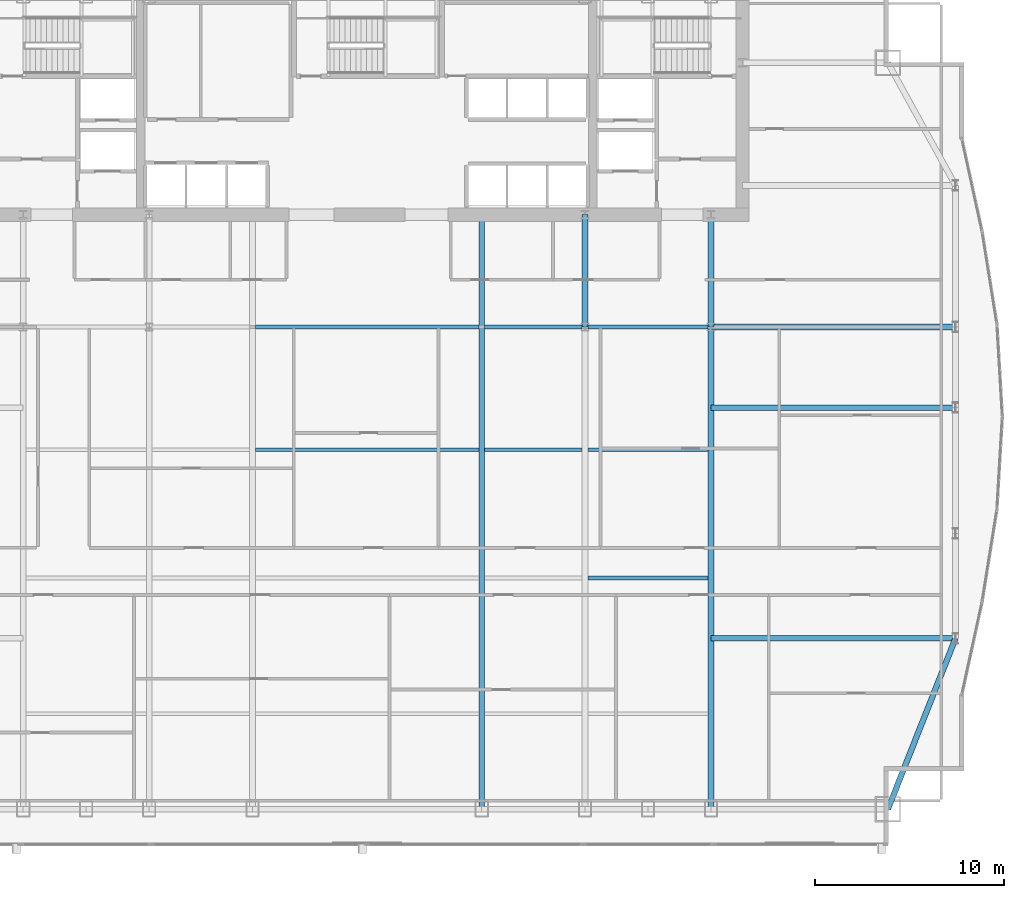
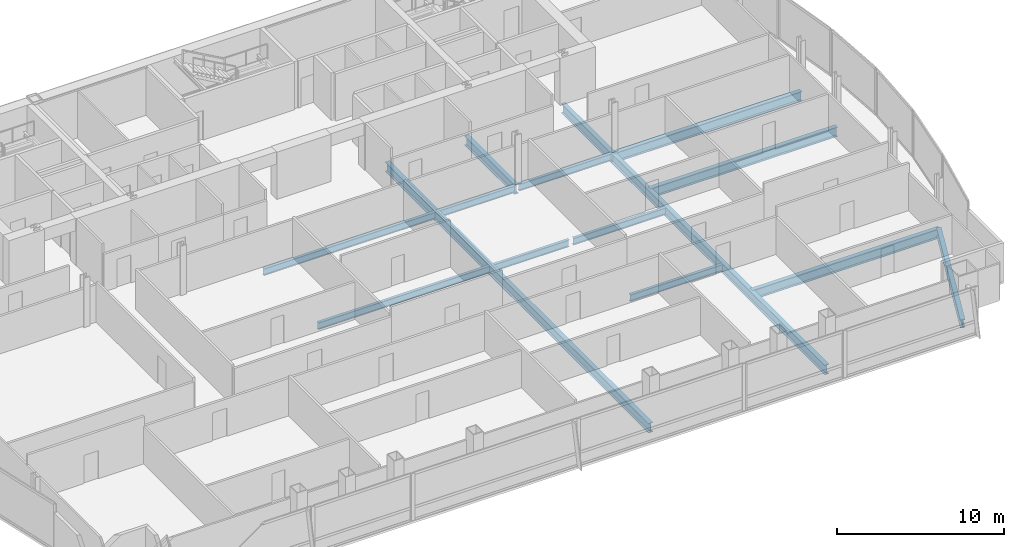
# One storey, part 16 of 29: 15 beams.
"""IFC4 building model written with IfcOpenShell, lengths in metres."""

from ifc_helpers import new_model, si_unit, direction, frame, origin, origin_2d, place, context, subcontext, project, spatial, i_section, extrude, material, material_profile, profile_set, type_object, element, save


model = new_model("IFC4")

# Units and contexts
model_context = context("Model", 3, precision=1e-05, world=origin(), true_north=direction((0.0, 1.0)))
body_context = subcontext(model_context, "Body", "Model", "MODEL_VIEW")
ifc_project = project(units=[si_unit("LENGTHUNIT", "METRE"), si_unit("AREAUNIT", "SQUARE_METRE"), si_unit("VOLUMEUNIT", "CUBIC_METRE"), si_unit("PLANEANGLEUNIT", "RADIAN"), si_unit("MASSUNIT", "GRAM", prefix="KILO")], contexts=[model_context])

# Site, building, storey
site_placement = place(None, origin())
site = spatial("IfcSite", under=ifc_project, at=site_placement, CompositionType="ELEMENT")
building_placement = place(site_placement, origin())
building = spatial("IfcBuilding", under=site, at=building_placement, Name="Khoronbel Lancet Exchange", CompositionType="ELEMENT")
storey_placement = place(building_placement, frame((0.0, 0.0, 161.39990234375)))
storey = spatial("IfcBuildingStorey", under=building, at=storey_placement, Name="L40", CompositionType="ELEMENT", Elevation=161.39990234375)

# Beams
ifc_material = material(Name="Steel S355", Category="steel")
ifc_material_profile_1 = material_profile(ifc_material, i_section(OverallWidth=0.300048828125, OverallDepth=0.699951171875, WebThickness=0.01708984375, FlangeThickness=0.031982421875, at=origin_2d()), Name="HEB 700")
ifc_profile_set_1 = profile_set([ifc_material_profile_1], Name="Steel S355")
beam_type_1 = type_object("IfcBeamType", Name="BM-BG3", PredefinedType="BEAM", material=ifc_profile_set_1)
beam_1_placement = place(storey_placement, frame((42.52490234375, 10.14990234375, -0.510009765625), z_axis=(0.0, 1.0, 0.0), x_axis=(-1.0, 0.0, 0.0)))
element("IfcBeam", 1, at=beam_1_placement, inside=storey, type_object=beam_type_1, Name="Level L40 primary floor girder G4", PredefinedType="BEAM", context=body_context, shape_type="SweptSolid", body=[
    extrude(i_section(OverallWidth=0.300048828125, OverallDepth=0.699951171875, WebThickness=0.01708984375, FlangeThickness=0.031982421875, at=origin_2d()), origin(), (0.0, 0.0, 1.0), 31.5),
])
beam_2_placement = place(storey_placement, frame((48.0, 35.699951171875, -0.510009765625), z_axis=(0.0, 1.0, 0.0), x_axis=(-1.0, 0.0, 0.0)))
element("IfcBeam", 2, at=beam_2_placement, inside=storey, type_object=beam_type_1, Name="Level L40 spine tie girder GN5", PredefinedType="BEAM", context=body_context, shape_type="SweptSolid", body=[
    extrude(i_section(OverallWidth=0.300048828125, OverallDepth=0.699951171875, WebThickness=0.01708984375, FlangeThickness=0.031982421875, at=origin_2d()), origin(), (0.0, 0.0, 1.0), 5.949951171875),
])
beam_3_placement = place(storey_placement, frame((54.675048828125, 10.14990234375, -0.510009765625), z_axis=(0.0, 1.0, 0.0), x_axis=(-1.0, 0.0, 0.0)))
element("IfcBeam", 3, at=beam_3_placement, inside=storey, type_object=beam_type_1, Name="Level L40 south primary girder GS6", PredefinedType="BEAM", context=body_context, shape_type="SweptSolid", body=[
    extrude(i_section(OverallWidth=0.300048828125, OverallDepth=0.699951171875, WebThickness=0.01708984375, FlangeThickness=0.031982421875, at=origin_2d()), origin(), (0.0, 0.0, 1.0), 25.550048828125),
])
beam_4_placement = place(storey_placement, frame((54.675048828125, 35.699951171875, -0.510009765625), z_axis=(0.0, 1.0, 0.0), x_axis=(-1.0, 0.0, 0.0)))
element("IfcBeam", 4, at=beam_4_placement, inside=storey, type_object=beam_type_1, Name="Level L40 spine tie girder GN6", PredefinedType="BEAM", context=body_context, shape_type="SweptSolid", body=[
    extrude(i_section(OverallWidth=0.300048828125, OverallDepth=0.699951171875, WebThickness=0.01708984375, FlangeThickness=0.031982421875, at=origin_2d()), origin(), (0.0, 0.0, 1.0), 5.949951171875),
])
for number, where, z_axis, x_axis, name in (
    (5, (54.675048828125, 19.199951171875, -0.510009765625), (1.0, 0.0, 0.0), (0.0, 1.0, 0.0), "Level L40 east lens tie girder LG1E"),
    (6, (54.675048828125, 31.425048828125, -0.510009765625), (1.0, 0.0, 0.0), (0.0, 1.0, 0.0), "Level L40 east lens tie girder LG2E"),
    (7, (54.675048828125, 35.699951171875, -0.510009765625), (1.0, 0.0, 0.0), (0.0, 1.0, 0.0), "Level L40 east lens tie girder LG4E"),
):
    element("IfcBeam", number, at=place(storey_placement, frame(where, z_axis=z_axis, x_axis=x_axis)), inside=storey, type_object=beam_type_1, Name=name, PredefinedType="BEAM", context=body_context, shape_type="SweptSolid", body=[
        extrude(i_section(OverallWidth=0.300048828125, OverallDepth=0.699951171875, WebThickness=0.01708984375, FlangeThickness=0.031982421875, at=origin_2d()), origin(), (0.0, 0.0, 1.0), 12.954833984375),
    ])
ifc_material_profile_2 = material_profile(ifc_material, i_section(OverallWidth=0.199951171875, OverallDepth=0.5, WebThickness=0.01025390625, FlangeThickness=0.01611328125, at=origin_2d()), Name="IPE 500")
ifc_profile_set_2 = profile_set([ifc_material_profile_2], Name="Steel S355")
beam_type_2 = type_object("IfcBeamType", Name="BM-BJ3", PredefinedType="JOIST", material=ifc_profile_set_2)
beam_5_placement = place(storey_placement, frame((48.14990234375, 22.39990234375, -0.409912109375), z_axis=(1.0, 0.0, 0.0), x_axis=(0.0, 1.0, 0.0)))
element("IfcBeam", 8, at=beam_5_placement, inside=storey, type_object=beam_type_2, Name="Level L40 secondary composite joist J10", PredefinedType="JOIST", context=body_context, shape_type="SweptSolid", body=[
    extrude(i_section(OverallWidth=0.199951171875, OverallDepth=0.5, WebThickness=0.01025390625, FlangeThickness=0.01611328125, at=origin_2d()), origin(), (0.0, 0.0, 1.0), 6.375),
])
beam_6_placement = place(storey_placement, frame((30.52490234375, 29.199951171875, -0.409912109375), z_axis=(1.0, 0.0, 0.0), x_axis=(0.0, 1.0, 0.0)))
element("IfcBeam", 9, at=beam_6_placement, inside=storey, type_object=beam_type_2, Name="Level L40 secondary composite joist J13", PredefinedType="JOIST", context=body_context, shape_type="SweptSolid", body=[
    extrude(i_section(OverallWidth=0.199951171875, OverallDepth=0.5, WebThickness=0.01025390625, FlangeThickness=0.01611328125, at=origin_2d()), origin(), (0.0, 0.0, 1.0), 11.85009765625),
])
beam_7_placement = place(storey_placement, frame((42.675048828125, 29.199951171875, -0.409912109375), z_axis=(1.0, 0.0, 0.0), x_axis=(0.0, 1.0, 0.0)))
element("IfcBeam", 10, at=beam_7_placement, inside=storey, type_object=beam_type_2, Name="Level L40 secondary composite joist J14", PredefinedType="JOIST", context=body_context, shape_type="SweptSolid", body=[
    extrude(i_section(OverallWidth=0.199951171875, OverallDepth=0.5, WebThickness=0.01025390625, FlangeThickness=0.01611328125, at=origin_2d()), origin(), (0.0, 0.0, 1.0), 5.175048828125),
])
beam_8_placement = place(storey_placement, frame((48.14990234375, 29.199951171875, -0.409912109375), z_axis=(1.0, 0.0, 0.0), x_axis=(0.0, 1.0, 0.0)))
element("IfcBeam", 11, at=beam_8_placement, inside=storey, type_object=beam_type_2, Name="Level L40 secondary composite joist J15", PredefinedType="JOIST", context=body_context, shape_type="SweptSolid", body=[
    extrude(i_section(OverallWidth=0.199951171875, OverallDepth=0.5, WebThickness=0.01025390625, FlangeThickness=0.01611328125, at=origin_2d()), origin(), (0.0, 0.0, 1.0), 6.375),
])
beam_9_placement = place(storey_placement, frame((30.52490234375, 35.699951171875, -0.409912109375), z_axis=(1.0, 0.0, 0.0), x_axis=(0.0, 1.0, 0.0)))
element("IfcBeam", 12, at=beam_9_placement, inside=storey, type_object=beam_type_2, Name="Level L40 secondary composite joist J18", PredefinedType="JOIST", context=body_context, shape_type="SweptSolid", body=[
    extrude(i_section(OverallWidth=0.199951171875, OverallDepth=0.5, WebThickness=0.01025390625, FlangeThickness=0.01611328125, at=origin_2d()), origin(), (0.0, 0.0, 1.0), 11.85009765625),
])
beam_10_placement = place(storey_placement, frame((42.675048828125, 35.699951171875, -0.409912109375), z_axis=(1.0, 0.0, 0.0), x_axis=(0.0, 1.0, 0.0)))
element("IfcBeam", 13, at=beam_10_placement, inside=storey, type_object=beam_type_2, Name="Level L40 secondary composite joist J19", PredefinedType="JOIST", context=body_context, shape_type="SweptSolid", body=[
    extrude(i_section(OverallWidth=0.199951171875, OverallDepth=0.5, WebThickness=0.01025390625, FlangeThickness=0.01611328125, at=origin_2d()), origin(), (0.0, 0.0, 1.0), 5.175048828125),
])
beam_11_placement = place(storey_placement, frame((48.14990234375, 35.699951171875, -0.409912109375), z_axis=(1.0, 0.0, 0.0), x_axis=(0.0, 1.0, 0.0)))
element("IfcBeam", 14, at=beam_11_placement, inside=storey, type_object=beam_type_2, Name="Level L40 secondary composite joist J20", PredefinedType="JOIST", context=body_context, shape_type="SweptSolid", body=[
    extrude(i_section(OverallWidth=0.199951171875, OverallDepth=0.5, WebThickness=0.01025390625, FlangeThickness=0.01611328125, at=origin_2d()), origin(), (0.0, 0.0, 1.0), 6.375),
])
ifc_material_profile_3 = material_profile(ifc_material, i_section(OverallWidth=0.300048828125, OverallDepth=0.60009765625, WebThickness=0.015380859375, FlangeThickness=0.030029296875, at=origin_2d()), Name="HEB 600")
ifc_profile_set_3 = profile_set([ifc_material_profile_3], Name="Steel S355")
beam_type_3 = type_object("IfcBeamType", Name="BM-BSP2", PredefinedType="SPANDREL", material=ifc_profile_set_3)
beam_12_placement = place(storey_placement, frame((64.050048828125, 10.14990234375, -0.4599609375), z_axis=(0.367828403855, 0.929893684954, 0.0), x_axis=(-0.929893684954, 0.367828403855, 0.0)))
element("IfcBeam", 15, at=beam_12_placement, inside=storey, type_object=beam_type_3, Name="Level L40 perimeter spandrel beam SP10", PredefinedType="SPANDREL", context=body_context, shape_type="SweptSolid", body=[
    extrude(i_section(OverallWidth=0.300048828125, OverallDepth=0.60009765625, WebThickness=0.015380859375, FlangeThickness=0.030029296875, at=origin_2d()), origin(), (0.0, 0.0, 1.0), 9.732421875),
])

save(model, "model.ifc")
